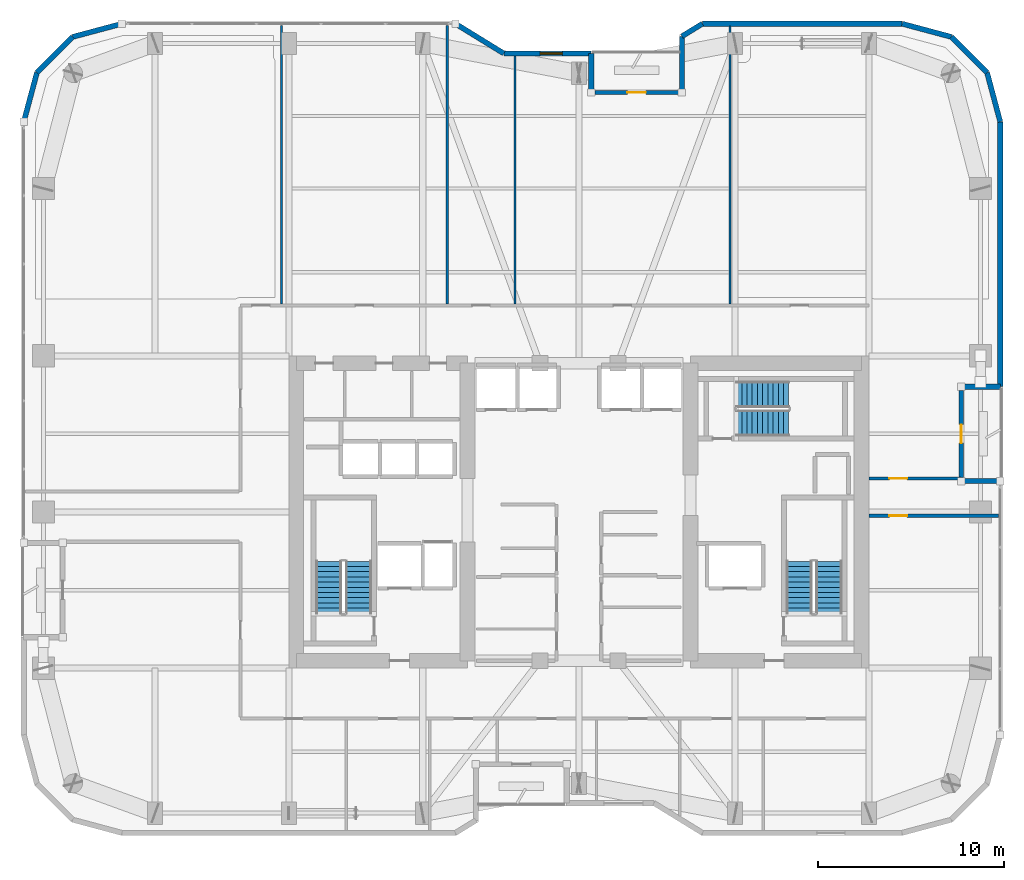
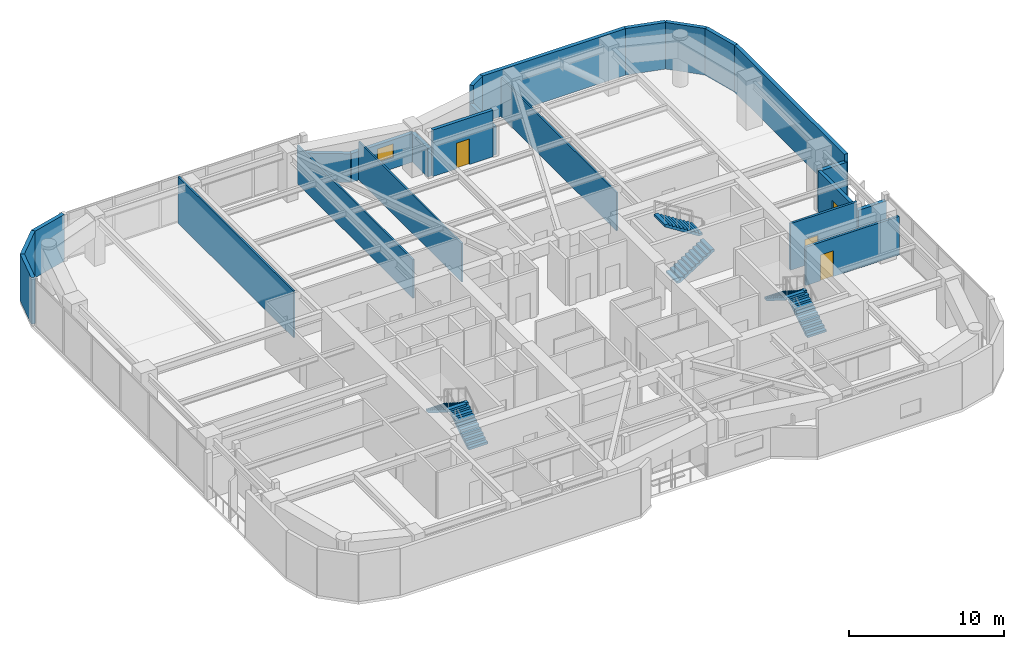
# One storey, part 27 of 30: 23 walls, 6 stair flights, 4 doors, 1 window, 5 openings, 3 elements without a shape of their own.
"""IFC4 building model written with IfcOpenShell, lengths in metres."""

from ifc_helpers import new_model, si_unit, direction, frame, frame_2d, origin, place, context, subcontext, project, spatial, polyline, rectangle, outline, extrude, material, layer, layer_set, type_object, element, fill, aggregate, save


model = new_model("IFC4")

# Units and contexts
model_context = context("Model", 3, precision=1e-05, world=origin(), true_north=direction((0.0, 1.0)))
body_context = subcontext(model_context, "Body", "Model", "MODEL_VIEW")
ifc_project = project(units=[si_unit("LENGTHUNIT", "METRE"), si_unit("AREAUNIT", "SQUARE_METRE"), si_unit("VOLUMEUNIT", "CUBIC_METRE"), si_unit("PLANEANGLEUNIT", "RADIAN"), si_unit("MASSUNIT", "GRAM", prefix="KILO")], contexts=[model_context])

# Site, building, storey
site_placement = place(None, origin())
site = spatial("IfcSite", under=ifc_project, at=site_placement, CompositionType="ELEMENT")
building_placement = place(site_placement, origin())
building = spatial("IfcBuilding", under=site, at=building_placement, Name="Kiyonajd Concourse Tower", CompositionType="ELEMENT")
storey_placement = place(building_placement, frame((0.0, 0.0, 166.199951171875)))
storey = spatial("IfcBuildingStorey", under=building, at=storey_placement, Name="L42", CompositionType="ELEMENT", Elevation=166.199951171875)

# Walls
ifc_material_1 = material(Name="Precast concrete C50/60", Category="concrete")
ifc_layer_1 = layer(ifc_material_1, 0.280029296875)
ifc_layer_set_1 = layer_set([ifc_layer_1], Name="Precast concrete C50/60")
wall_type_1 = type_object("IfcWallType", Name="WL-EXT-280", PredefinedType="SOLIDWALL", material=ifc_layer_set_1)
wall_1_placement = place(storey_placement, frame((18.139892578125, 56.981689453125, 0.0), z_axis=(0.0, 0.0, 1.0), x_axis=(0.258672222976, 0.9659651552, 0.0)))
element("IfcWall", 1, at=wall_1_placement, inside=storey, type_object=wall_type_1, Name="L42 Exterior Concrete Frame Wall 06", PredefinedType="SOLIDWALL", context=body_context, shape_type="SweptSolid", body=[
    extrude(rectangle(XDim=2.739013671875, YDim=0.280029296875, at=frame_2d((1.36962890625, 0.0))), origin(), (0.0, 0.0, 1.0), 3.679931640625),
])
wall_2_placement = place(storey_placement, frame((18.848388671875, 59.62744140625, 0.0), z_axis=(0.0, 0.0, 1.0), x_axis=(0.707106781187, 0.707106781187, 0.0)))
element("IfcWall", 2, at=wall_2_placement, inside=storey, type_object=wall_type_1, Name="L42 Exterior Concrete Frame Wall 07", PredefinedType="SOLIDWALL", context=body_context, shape_type="SweptSolid", body=[
    extrude(rectangle(XDim=2.720947265625, YDim=0.280029296875, at=frame_2d((1.3603515625, 0.0))), origin(), (0.0, 0.0, 1.0), 3.679931640625),
])
wall_3_placement = place(storey_placement, frame((20.7724609375, 61.551513671875, 0.0), z_axis=(0.0, 0.0, 1.0), x_axis=(0.965971118627, 0.258649952598, 0.0)))
element("IfcWall", 3, at=wall_3_placement, inside=storey, type_object=wall_type_1, Name="L42 Exterior Concrete Frame Wall 08", PredefinedType="SOLIDWALL", context=body_context, shape_type="SweptSolid", body=[
    extrude(rectangle(XDim=2.7392578125, YDim=0.280029296875, at=frame_2d((1.36962890625, 0.0))), origin(), (0.0, 0.0, 1.0), 3.679931640625),
])
wall_4_placement = place(storey_placement, frame((41.3603515625, 62.260009765625, 0.0), z_axis=(0.0, 0.0, 1.0), x_axis=(0.851652825334, -0.524106349037, 0.0)))
element("IfcWall", 4, at=wall_4_placement, inside=storey, type_object=wall_type_1, Name="L42 Exterior Concrete Frame Wall 10", PredefinedType="SOLIDWALL", context=body_context, shape_type="SweptSolid", body=[
    extrude(rectangle(XDim=3.052978515625, YDim=0.280029296875, at=frame_2d((1.5263671875, 0.0))), origin(), (0.0, 0.0, 1.0), 2.26513671875),
])

# Wall, opening, window
wall_5_placement = place(storey_placement, frame((43.96044921875, 60.659912109375, 0.0), z_axis=(0.0, 0.0, 1.0), x_axis=(1.0, 0.0, 0.0)))
wall_5 = element("IfcWall", 5, at=wall_5_placement, inside=storey, type_object=wall_type_1, Name="L42 Exterior Concrete Frame Wall 11", PredefinedType="SOLIDWALL", context=body_context, shape_type="SweptSolid", body=[
    extrude(rectangle(XDim=4.699462890625, YDim=0.280029296875, at=frame_2d((2.349609375, 0.0))), origin(), (0.0, 0.0, 1.0), 2.26513671875),
])
opening_1_placement = place(wall_5_placement, frame((1.955078125, 0.0, 0.85009765625)))
opening_1 = element("IfcOpeningElement", 6, at=opening_1_placement, cuts=wall_5, Name="Opening WN3", PredefinedType="OPENING", context=body_context, shape_type="SweptSolid", body=[
    extrude(rectangle(XDim=1.199951171875, YDim=1.10009765625, at=frame_2d((0.60009765625, 0.550048828125))), frame((0.0, 0.14990234375, 0.0), z_axis=(0.0, -1.0, 0.0), x_axis=(1.0, 0.0, 0.0)), (0.0, 0.0, 1.0), 0.300048828125),
])
ifc_material_2 = material(Name="Double Low-E Insulated Glass", Category="glass")
window_type = type_object("IfcWindowType", Name="WN-VIS-1200x1100", PartitioningType="SINGLE_PANEL", PredefinedType="WINDOW", material=ifc_material_2)
window_placement = place(opening_1_placement, origin())
window = element("IfcWindow", 7, at=window_placement, inside=storey, type_object=window_type, Name="L42 Modular Facade Vision Window 11", OverallHeight=1.10009765625, OverallWidth=1.199951171875, PartitioningType="SINGLE_PANEL", PredefinedType="WINDOW", context=body_context, shape_type="SweptSolid", body=[
    extrude(rectangle(XDim=1.199951171875, YDim=1.10009765625, at=frame_2d((0.60009765625, 0.550048828125))), frame((0.0, 0.030029296875, 0.0), z_axis=(0.0, -1.0, 0.0), x_axis=(1.0, 0.0, 0.0)), (0.0, 0.0, 1.0), 0.06005859375),
])
fill(opening_1, window)

# Walls
wall_6_placement = place(storey_placement, frame((48.659912109375, 60.659912109375, 0.0), z_axis=(0.0, 0.0, 1.0), x_axis=(0.0, -1.0, 0.0)))
element("IfcWall", 8, at=wall_6_placement, inside=storey, type_object=wall_type_1, Name="L42 Exterior Concrete Frame Wall 12", PredefinedType="SOLIDWALL", context=body_context, shape_type="SweptSolid", body=[
    extrude(rectangle(XDim=2.099853515625, YDim=0.280029296875, at=frame_2d((1.0498046875, 0.0))), origin(), (0.0, 0.0, 1.0), 2.26513671875),
])
wall_7_placement = place(storey_placement, frame((53.5400390625, 58.56005859375, 0.0), z_axis=(0.0, 0.0, 1.0), x_axis=(0.0, 1.0, 0.0)))
element("IfcWall", 9, at=wall_7_placement, inside=storey, type_object=wall_type_1, Name="L42 Exterior Concrete Frame Wall 14", PredefinedType="SOLIDWALL", context=body_context, shape_type="SweptSolid", body=[
    extrude(rectangle(XDim=3.023681640625, YDim=0.280029296875, at=frame_2d((1.51171875, 0.0))), origin(), (0.0, 0.0, 1.0), 2.26513671875),
])
wall_8_placement = place(storey_placement, frame((53.5400390625, 61.583740234375, 0.0), z_axis=(0.0, 0.0, 1.0), x_axis=(0.851801140441, 0.523865266212, 0.0)))
element("IfcWall", 10, at=wall_8_placement, inside=storey, type_object=wall_type_1, Name="L42 Exterior Concrete Frame Wall 15", PredefinedType="SOLIDWALL", context=body_context, shape_type="SweptSolid", body=[
    extrude(rectangle(XDim=1.291015625, YDim=0.280029296875, at=frame_2d((0.6455078125, 0.0))), origin(), (0.0, 0.0, 1.0), 3.679931640625),
])
wall_9_placement = place(storey_placement, frame((54.6396484375, 62.260009765625, 0.0), z_axis=(0.0, 0.0, 1.0), x_axis=(1.0, 0.0, 0.0)))
element("IfcWall", 11, at=wall_9_placement, inside=storey, type_object=wall_type_1, Name="L42 Exterior Concrete Frame Wall 16", PredefinedType="SOLIDWALL", context=body_context, shape_type="SweptSolid", body=[
    extrude(rectangle(XDim=10.741943359375, YDim=0.280029296875, at=frame_2d((5.37109375, 0.0))), origin(), (0.0, 0.0, 1.0), 3.679931640625),
])
wall_10_placement = place(storey_placement, frame((65.381591796875, 62.260009765625, 0.0), z_axis=(0.0, 0.0, 1.0), x_axis=(0.965971118627, -0.258649952598, 0.0)))
element("IfcWall", 12, at=wall_10_placement, inside=storey, type_object=wall_type_1, Name="L42 Exterior Concrete Frame Wall 17", PredefinedType="SOLIDWALL", context=body_context, shape_type="SweptSolid", body=[
    extrude(rectangle(XDim=2.7392578125, YDim=0.280029296875, at=frame_2d((1.36962890625, 0.0))), origin(), (0.0, 0.0, 1.0), 3.679931640625),
])
wall_11_placement = place(storey_placement, frame((68.027587890625, 61.551513671875, 0.0), z_axis=(0.0, 0.0, 1.0), x_axis=(0.707061915429, -0.707151644098, 0.0)))
element("IfcWall", 13, at=wall_11_placement, inside=storey, type_object=wall_type_1, Name="L42 Exterior Concrete Frame Wall 18", PredefinedType="SOLIDWALL", context=body_context, shape_type="SweptSolid", body=[
    extrude(rectangle(XDim=2.720947265625, YDim=0.280029296875, at=frame_2d((1.3603515625, 0.0))), origin(), (0.0, 0.0, 1.0), 3.679931640625),
])
wall_12_placement = place(storey_placement, frame((69.951416015625, 59.62744140625, 0.0), z_axis=(0.0, 0.0, 1.0), x_axis=(0.258672222976, -0.9659651552, 0.0)))
element("IfcWall", 14, at=wall_12_placement, inside=storey, type_object=wall_type_1, Name="L42 Exterior Concrete Frame Wall 19", PredefinedType="SOLIDWALL", context=body_context, shape_type="SweptSolid", body=[
    extrude(rectangle(XDim=2.739013671875, YDim=0.280029296875, at=frame_2d((1.36962890625, 0.0))), origin(), (0.0, 0.0, 1.0), 3.679931640625),
])
wall_13_placement = place(storey_placement, frame((70.659912109375, 56.981689453125, 0.0), z_axis=(0.0, 0.0, 1.0), x_axis=(0.0, -1.0, 0.0)))
element("IfcWall", 15, at=wall_13_placement, inside=storey, type_object=wall_type_1, Name="L42 Exterior Concrete Frame Wall 20", PredefinedType="SOLIDWALL", context=body_context, shape_type="SweptSolid", body=[
    extrude(rectangle(XDim=14.24169921875, YDim=0.280029296875, at=frame_2d((7.120849609375, 0.0))), origin(), (0.0, 0.0, 1.0), 3.679931640625),
])
for number, where, z_axis, x_axis, name in (
    (16, (70.659912109375, 42.739990234375, 0.0), (0.0, 0.0, 1.0), (-1.0, 0.0, 0.0), "L42 Exterior Concrete Frame Wall 21"),
    (17, (68.56005859375, 37.659912109375, 0.0), (0.0, 0.0, 1.0), (1.0, 0.0, 0.0), "L42 Exterior Concrete Frame Wall 23"),
):
    element("IfcWall", number, at=place(storey_placement, frame(where, z_axis=z_axis, x_axis=x_axis)), inside=storey, type_object=wall_type_1, Name=name, PredefinedType="SOLIDWALL", context=body_context, shape_type="SweptSolid", body=[
        extrude(rectangle(XDim=2.099853515625, YDim=0.280029296875, at=frame_2d((1.0498046875, 0.0))), origin(), (0.0, 0.0, 1.0), 3.115966796875),
    ])

# Wall, opening, door
ifc_layer_2 = layer(ifc_material_1, 0.239990234375)
ifc_layer_set_2 = layer_set([ifc_layer_2], Name="Precast concrete C50/60")
wall_type_2 = type_object("IfcWallType", Name="WL-LOG-240", PredefinedType="SOLIDWALL", material=ifc_layer_set_2)
wall_14_placement = place(storey_placement, frame((48.85498046875, 58.56005859375, 0.0), z_axis=(0.0, 0.0, 1.0), x_axis=(1.0, 0.0, 0.0)))
wall_14 = element("IfcWall", 18, at=wall_14_placement, inside=storey, type_object=wall_type_2, Name="L42 Recessed Loggia Thermal Wall LOG-N", PredefinedType="SOLIDWALL", context=body_context, shape_type="SweptSolid", body=[
    extrude(rectangle(XDim=4.489990234375, YDim=0.239990234375, at=frame_2d((2.2451171875, 0.0))), origin(), (0.0, 0.0, 1.0), 3.679931640625),
])
opening_2_placement = place(wall_14_placement, frame((1.7451171875, 0.0, 0.0)))
opening_2 = element("IfcOpeningElement", 19, at=opening_2_placement, cuts=wall_14, Name="Opening DL1", PredefinedType="OPENING", context=body_context, shape_type="SweptSolid", body=[
    extrude(rectangle(XDim=1.0, YDim=2.02001953125, at=frame_2d((0.5, 1.010009765625))), frame((0.0, 0.1298828125, 0.0), z_axis=(0.0, -1.0, 0.0), x_axis=(1.0, 0.0, 0.0)), (0.0, 0.0, 1.0), 0.260009765625),
])
ifc_material_3 = material(Name="Thermally Broken Anodised Aluminium", Category="aluminium")
door_type_1 = type_object("IfcDoorType", Name="DR-LOG-1000", OperationType="NOTDEFINED", PredefinedType="DOOR", material=ifc_material_3)
door_1_placement = place(opening_2_placement, origin())
door_1 = element("IfcDoor", 20, at=door_1_placement, inside=storey, type_object=door_type_1, Name="L42 Engawa Loggia Access Door LOG-N", OperationType="SINGLE_SWING_RIGHT", OverallHeight=2.02001953125, OverallWidth=1.0, PredefinedType="DOOR", context=body_context, shape_type="SweptSolid", body=[
    extrude(rectangle(XDim=1.0, YDim=2.02001953125, at=frame_2d((0.5, 1.010009765625))), frame((0.0, 0.02490234375, 0.0), z_axis=(0.0, -1.0, 0.0), x_axis=(1.0, 0.0, 0.0)), (0.0, 0.0, 1.0), 0.050048828125),
])
fill(opening_2, door_1)

wall_15_placement = place(storey_placement, frame((68.56005859375, 42.544921875, 0.0), z_axis=(0.0, 0.0, 1.0), x_axis=(0.0, -1.0, 0.0)))
wall_15 = element("IfcWall", 21, at=wall_15_placement, inside=storey, type_object=wall_type_2, Name="L42 Recessed Loggia Thermal Wall LOG-E", PredefinedType="SOLIDWALL", context=body_context, shape_type="SweptSolid", body=[
    extrude(rectangle(XDim=4.68994140625, YDim=0.239990234375, at=frame_2d((2.344970703125, 0.0))), origin(), (0.0, 0.0, 1.0), 3.248046875),
])
opening_3_placement = place(wall_15_placement, frame((1.844970703125, 0.0, 0.0)))
opening_3 = element("IfcOpeningElement", 22, at=opening_3_placement, cuts=wall_15, Name="Opening DL1", PredefinedType="OPENING", context=body_context, shape_type="SweptSolid", body=[
    extrude(rectangle(XDim=1.0, YDim=2.02001953125, at=frame_2d((0.5, 1.010009765625))), frame((0.0, 0.1298828125, 0.0), z_axis=(0.0, -1.0, 0.0), x_axis=(1.0, 0.0, 0.0)), (0.0, 0.0, 1.0), 0.260009765625),
])
door_2_placement = place(opening_3_placement, origin())
door_2 = element("IfcDoor", 23, at=door_2_placement, inside=storey, type_object=door_type_1, Name="L42 Engawa Loggia Access Door LOG-E", OperationType="SINGLE_SWING_LEFT", OverallHeight=2.02001953125, OverallWidth=1.0, PredefinedType="DOOR", context=body_context, shape_type="SweptSolid", body=[
    extrude(rectangle(XDim=1.0, YDim=2.02001953125, at=frame_2d((0.5, 1.010009765625))), frame((0.0, 0.02490234375, 0.0), z_axis=(0.0, -1.0, 0.0), x_axis=(1.0, 0.0, 0.0)), (0.0, 0.0, 1.0), 0.050048828125),
])
fill(opening_3, door_2)

# Walls
ifc_material_4 = material(Name="Gypsum Board on Cold-Formed Steel Stud", Category="steel")
ifc_layer_3 = layer(ifc_material_4, 0.125)
ifc_layer_set_3 = layer_set([ifc_layer_3], Name="Gypsum Board on Cold-Formed Steel Stud")
wall_type_3 = type_object("IfcWallType", Name="WL-PART-125", PredefinedType="PARTITIONING", material=ifc_layer_set_3)
wall_16_placement = place(storey_placement, frame((32.0, 47.197021484375, 0.0), z_axis=(0.0, 0.0, 1.0), x_axis=(0.0, 1.0, 0.0)))
element("IfcWall", 24, at=wall_16_placement, inside=storey, type_object=wall_type_3, Name="L42 Interior Partition Wall", PredefinedType="PARTITIONING", context=body_context, shape_type="SweptSolid", body=[
    extrude(rectangle(XDim=14.968017578125, YDim=0.125, at=frame_2d((7.48388671875, 0.0))), origin(), (0.0, 0.0, 1.0), 3.679931640625),
])
wall_17_placement = place(storey_placement, frame((40.919921875, 47.197021484375, 0.0), z_axis=(0.0, 0.0, 1.0), x_axis=(0.0, 1.0, 0.0)))
element("IfcWall", 25, at=wall_17_placement, inside=storey, type_object=wall_type_3, Name="L42 Interior Partition Wall", PredefinedType="PARTITIONING", context=body_context, shape_type="SweptSolid", body=[
    extrude(rectangle(XDim=14.968017578125, YDim=0.125, at=frame_2d((7.48388671875, 0.0))), origin(), (0.0, 0.0, 1.0), 3.04296875),
])
wall_18_placement = place(storey_placement, frame((44.56005859375, 47.197021484375, 0.0), z_axis=(0.0, 0.0, 1.0), x_axis=(0.0, 1.0, 0.0)))
element("IfcWall", 26, at=wall_18_placement, inside=storey, type_object=wall_type_3, Name="L42 Interior Partition Wall", PredefinedType="PARTITIONING", context=body_context, shape_type="SweptSolid", body=[
    extrude(rectangle(XDim=13.327880859375, YDim=0.125, at=frame_2d((6.6640625, 0.0))), origin(), (0.0, 0.0, 1.0), 3.04296875),
])
wall_19_placement = place(storey_placement, frame((56.1201171875, 47.197021484375, 0.0), z_axis=(0.0, 0.0, 1.0), x_axis=(0.0, 1.0, 0.0)))
element("IfcWall", 27, at=wall_19_placement, inside=storey, type_object=wall_type_3, Name="L42 Interior Partition Wall", PredefinedType="PARTITIONING", context=body_context, shape_type="SweptSolid", body=[
    extrude(rectangle(XDim=14.927978515625, YDim=0.125, at=frame_2d((7.4638671875, 0.0))), origin(), (0.0, 0.0, 1.0), 3.04296875),
])

# Wall, opening, door
ifc_layer_4 = layer(ifc_material_4, 0.169921875)
ifc_layer_set_4 = layer_set([ifc_layer_4], Name="Gypsum Board on Cold-Formed Steel Stud")
wall_type_4 = type_object("IfcWallType", Name="WL-SMK-170", PredefinedType="PARTITIONING", material=ifc_layer_set_4)
wall_20_placement = place(storey_placement, frame((63.60009765625, 35.800048828125, 0.0), z_axis=(0.0, 0.0, 1.0), x_axis=(1.0, 0.0, 0.0)))
wall_20 = element("IfcWall", 28, at=wall_20_placement, inside=storey, type_object=wall_type_4, Name="L42 Interior Partition Wall", PredefinedType="PARTITIONING", context=body_context, shape_type="SweptSolid", body=[
    extrude(rectangle(XDim=6.974853515625, YDim=0.169921875, at=frame_2d((3.4873046875, 0.0))), origin(), (0.0, 0.0, 1.0), 3.04296875),
])
opening_4_placement = place(wall_20_placement, frame((1.10009765625, 0.0, 0.0)))
opening_4 = element("IfcOpeningElement", 29, at=opening_4_placement, cuts=wall_20, Name="Opening DI1", PredefinedType="OPENING", context=body_context, shape_type="SweptSolid", body=[
    extrude(rectangle(XDim=0.949951171875, YDim=2.0400390625, at=frame_2d((0.47509765625, 1.02001953125))), frame((0.0, 0.094970703125, 0.0), z_axis=(0.0, -1.0, 0.0), x_axis=(1.0, 0.0, 0.0)), (0.0, 0.0, 1.0), 0.18994140625),
])
ifc_material_5 = material(Name="Natural Oak Acoustic Timber Veneer", Category="wood")
door_type_2 = type_object("IfcDoorType", Name="DR-INT-950", OperationType="NOTDEFINED", PredefinedType="DOOR", material=ifc_material_5)
door_3_placement = place(opening_4_placement, origin())
door_3 = element("IfcDoor", 30, at=door_3_placement, inside=storey, type_object=door_type_2, Name="L42 Interior Door", OperationType="SINGLE_SWING_LEFT", OverallHeight=2.0400390625, OverallWidth=0.949951171875, PredefinedType="DOOR", context=body_context, shape_type="SweptSolid", body=[
    extrude(rectangle(XDim=0.949951171875, YDim=2.0400390625, at=frame_2d((0.47509765625, 1.02001953125))), frame((0.0, 0.02490234375, 0.0), z_axis=(0.0, -1.0, 0.0), x_axis=(1.0, 0.0, 0.0)), (0.0, 0.0, 1.0), 0.050048828125),
])
fill(opening_4, door_3)

wall_21_placement = place(storey_placement, frame((63.60009765625, 37.800048828125, 0.0), z_axis=(0.0, 0.0, 1.0), x_axis=(1.0, 0.0, 0.0)))
wall_21 = element("IfcWall", 31, at=wall_21_placement, inside=storey, type_object=wall_type_4, Name="L42 Interior Partition Wall", PredefinedType="PARTITIONING", context=body_context, shape_type="SweptSolid", body=[
    extrude(rectangle(XDim=4.9599609375, YDim=0.169921875, at=frame_2d((2.47998046875, 0.0))), origin(), (0.0, 0.0, 1.0), 3.679931640625),
])
opening_5_placement = place(wall_21_placement, frame((1.10009765625, 0.0, 0.0)))
opening_5 = element("IfcOpeningElement", 32, at=opening_5_placement, cuts=wall_21, Name="Opening DI1", PredefinedType="OPENING", context=body_context, shape_type="SweptSolid", body=[
    extrude(rectangle(XDim=0.949951171875, YDim=2.0400390625, at=frame_2d((0.47509765625, 1.02001953125))), frame((0.0, 0.094970703125, 0.0), z_axis=(0.0, -1.0, 0.0), x_axis=(1.0, 0.0, 0.0)), (0.0, 0.0, 1.0), 0.18994140625),
])
door_4_placement = place(opening_5_placement, origin())
door_4 = element("IfcDoor", 33, at=door_4_placement, inside=storey, type_object=door_type_2, Name="L42 Interior Door", OperationType="SINGLE_SWING_RIGHT", OverallHeight=2.0400390625, OverallWidth=0.949951171875, PredefinedType="DOOR", context=body_context, shape_type="SweptSolid", body=[
    extrude(rectangle(XDim=0.949951171875, YDim=2.0400390625, at=frame_2d((0.47509765625, 1.02001953125))), frame((0.0, 0.02490234375, 0.0), z_axis=(0.0, -1.0, 0.0), x_axis=(1.0, 0.0, 0.0)), (0.0, 0.0, 1.0), 0.050048828125),
])
fill(opening_5, door_4)

# Stair, stair flights
ifc_material_6 = material(Name="Concrete C40/50", Category="concrete")
stair_type = type_object("IfcStairType", Name="ST-DLG-22R", PredefinedType="HALF_TURN_STAIR", material=ifc_material_6)
stair_1_placement = place(storey_placement, origin())
stair_1 = element("IfcStair", 34, at=stair_1_placement, inside=storey, type_object=stair_type, Name="L42 Protected Exit Stair ST1", PredefinedType="HALF_TURN_STAIR")
stair_flight_type = type_object("IfcStairFlightType", Name="SF-STR-22R", PredefinedType="STRAIGHT", material=ifc_material_6)
stair_flight_1_placement = place(storey_placement, frame((36.14990234375, 30.550048828125, 0.0), z_axis=(0.0, 0.0, 1.0), x_axis=(0.0, 1.0, 0.0)))
stair_flight_1 = element("IfcStairFlight", 35, at=stair_flight_1_placement, type_object=stair_flight_type, Name="ST1 flight 1", NumberOfRisers=11, NumberOfTreads=10, PredefinedType="STRAIGHT", RiserHeight=0.177272727, TreadLength=0.28, context=body_context, shape_type="SweptSolid", body=[
    extrude(outline(polyline([(0.0, 0.0), (0.0, 0.17724609375), (0.280029296875, 0.17724609375), (0.280029296875, 0.3544921875), (0.56005859375, 0.3544921875), (0.56005859375, 0.53173828125), (0.840087890625, 0.53173828125), (0.840087890625, 0.708984375), (1.1201171875, 0.708984375), (1.1201171875, 0.886474609375), (1.39990234375, 0.886474609375), (1.39990234375, 1.063720703125), (1.679931640625, 1.063720703125), (1.679931640625, 1.240966796875), (1.9599609375, 1.240966796875), (1.9599609375, 1.418212890625), (2.239990234375, 1.418212890625), (2.239990234375, 1.595458984375), (2.52001953125, 1.595458984375), (2.52001953125, 1.772705078125), (2.800048828125, 1.772705078125), (2.800048828125, 1.949951171875), (2.800048828125, 1.59521484375), (0.2802734375, 0.0), (0.0, 0.0)])), frame((0.0, 0.699951171875, 0.0), z_axis=(0.0, -1.0, 0.0), x_axis=(1.0, 0.0, 0.0)), (0.0, 0.0, 1.0), 1.39990234375),
])
stair_flight_2_placement = place(storey_placement, frame((34.550048828125, 33.35009765625, 1.949951171875), z_axis=(0.0, 0.0, 1.0), x_axis=(0.0, -1.0, 0.0)))
stair_flight_2 = element("IfcStairFlight", 36, at=stair_flight_2_placement, type_object=stair_flight_type, Name="ST1 flight 2", NumberOfRisers=11, NumberOfTreads=10, PredefinedType="STRAIGHT", RiserHeight=0.177272727, TreadLength=0.28, context=body_context, shape_type="SweptSolid", body=[
    extrude(outline(polyline([(0.0, 0.0), (0.0, 0.17724609375), (0.280029296875, 0.17724609375), (0.280029296875, 0.3544921875), (0.56005859375, 0.3544921875), (0.56005859375, 0.53173828125), (0.840087890625, 0.53173828125), (0.840087890625, 0.708984375), (1.1201171875, 0.708984375), (1.1201171875, 0.886474609375), (1.39990234375, 0.886474609375), (1.39990234375, 1.063720703125), (1.679931640625, 1.063720703125), (1.679931640625, 1.240966796875), (1.9599609375, 1.240966796875), (1.9599609375, 1.418212890625), (2.239990234375, 1.418212890625), (2.239990234375, 1.595458984375), (2.52001953125, 1.595458984375), (2.52001953125, 1.772705078125), (2.800048828125, 1.772705078125), (2.800048828125, 1.949951171875), (2.800048828125, 1.59521484375), (0.2802734375, 0.0), (0.0, 0.0)])), frame((0.0, 0.699951171875, 0.0), z_axis=(0.0, -1.0, 0.0), x_axis=(1.0, 0.0, 0.0)), (0.0, 0.0, 1.0), 1.39990234375),
])
aggregate(stair_1, [stair_flight_1, stair_flight_2])

stair_2_placement = place(storey_placement, origin())
stair_2 = element("IfcStair", 37, at=stair_2_placement, inside=storey, type_object=stair_type, Name="L42 Protected Exit Stair ST2", PredefinedType="HALF_TURN_STAIR")
stair_flight_3_placement = place(storey_placement, frame((61.449951171875, 30.550048828125, 0.0), z_axis=(0.0, 0.0, 1.0), x_axis=(0.0, 1.0, 0.0)))
stair_flight_3 = element("IfcStairFlight", 38, at=stair_flight_3_placement, type_object=stair_flight_type, Name="ST2 flight 1", NumberOfRisers=11, NumberOfTreads=10, PredefinedType="STRAIGHT", RiserHeight=0.177272727, TreadLength=0.28, context=body_context, shape_type="SweptSolid", body=[
    extrude(outline(polyline([(0.0, 0.0), (0.0, 0.17724609375), (0.280029296875, 0.17724609375), (0.280029296875, 0.3544921875), (0.56005859375, 0.3544921875), (0.56005859375, 0.53173828125), (0.840087890625, 0.53173828125), (0.840087890625, 0.708984375), (1.1201171875, 0.708984375), (1.1201171875, 0.886474609375), (1.39990234375, 0.886474609375), (1.39990234375, 1.063720703125), (1.679931640625, 1.063720703125), (1.679931640625, 1.240966796875), (1.9599609375, 1.240966796875), (1.9599609375, 1.418212890625), (2.239990234375, 1.418212890625), (2.239990234375, 1.595458984375), (2.52001953125, 1.595458984375), (2.52001953125, 1.772705078125), (2.800048828125, 1.772705078125), (2.800048828125, 1.949951171875), (2.800048828125, 1.59521484375), (0.2802734375, 0.0), (0.0, 0.0)])), frame((0.0, 0.699951171875, 0.0), z_axis=(0.0, -1.0, 0.0), x_axis=(1.0, 0.0, 0.0)), (0.0, 0.0, 1.0), 1.39990234375),
])
stair_flight_4_placement = place(storey_placement, frame((59.85009765625, 33.35009765625, 1.949951171875), z_axis=(0.0, 0.0, 1.0), x_axis=(0.0, -1.0, 0.0)))
stair_flight_4 = element("IfcStairFlight", 39, at=stair_flight_4_placement, type_object=stair_flight_type, Name="ST2 flight 2", NumberOfRisers=11, NumberOfTreads=10, PredefinedType="STRAIGHT", RiserHeight=0.177272727, TreadLength=0.28, context=body_context, shape_type="SweptSolid", body=[
    extrude(outline(polyline([(0.0, 0.0), (0.0, 0.17724609375), (0.280029296875, 0.17724609375), (0.280029296875, 0.3544921875), (0.56005859375, 0.3544921875), (0.56005859375, 0.53173828125), (0.840087890625, 0.53173828125), (0.840087890625, 0.708984375), (1.1201171875, 0.708984375), (1.1201171875, 0.886474609375), (1.39990234375, 0.886474609375), (1.39990234375, 1.063720703125), (1.679931640625, 1.063720703125), (1.679931640625, 1.240966796875), (1.9599609375, 1.240966796875), (1.9599609375, 1.418212890625), (2.239990234375, 1.418212890625), (2.239990234375, 1.595458984375), (2.52001953125, 1.595458984375), (2.52001953125, 1.772705078125), (2.800048828125, 1.772705078125), (2.800048828125, 1.949951171875), (2.800048828125, 1.59521484375), (0.2802734375, 0.0), (0.0, 0.0)])), frame((0.0, 0.699951171875, 0.0), z_axis=(0.0, -1.0, 0.0), x_axis=(1.0, 0.0, 0.0)), (0.0, 0.0, 1.0), 1.39990234375),
])
aggregate(stair_2, [stair_flight_3, stair_flight_4])

stair_3_placement = place(storey_placement, origin())
stair_3 = element("IfcStair", 40, at=stair_3_placement, inside=storey, type_object=stair_type, Name="L42 Protected Exit Stair ST3", PredefinedType="HALF_TURN_STAIR")
stair_flight_5_placement = place(storey_placement, frame((56.47998046875, 40.780029296875, 0.0), z_axis=(0.0, 0.0, 1.0), x_axis=(1.0, 0.0, 0.0)))
stair_flight_5 = element("IfcStairFlight", 41, at=stair_flight_5_placement, type_object=stair_flight_type, Name="ST3 flight 1", NumberOfRisers=11, NumberOfTreads=10, PredefinedType="STRAIGHT", RiserHeight=0.177272727, TreadLength=0.28, context=body_context, shape_type="SweptSolid", body=[
    extrude(outline(polyline([(0.0, 0.0), (0.0, 0.17724609375), (0.280029296875, 0.17724609375), (0.280029296875, 0.3544921875), (0.56005859375, 0.3544921875), (0.56005859375, 0.53173828125), (0.840087890625, 0.53173828125), (0.840087890625, 0.708984375), (1.1201171875, 0.708984375), (1.1201171875, 0.886474609375), (1.39990234375, 0.886474609375), (1.39990234375, 1.063720703125), (1.679931640625, 1.063720703125), (1.679931640625, 1.240966796875), (1.9599609375, 1.240966796875), (1.9599609375, 1.418212890625), (2.239990234375, 1.418212890625), (2.239990234375, 1.595458984375), (2.52001953125, 1.595458984375), (2.52001953125, 1.772705078125), (2.800048828125, 1.772705078125), (2.800048828125, 1.949951171875), (2.800048828125, 1.59521484375), (0.2802734375, 0.0), (0.0, 0.0)])), frame((0.0, 0.699951171875, 0.0), z_axis=(0.0, -1.0, 0.0), x_axis=(1.0, 0.0, 0.0)), (0.0, 0.0, 1.0), 1.39990234375),
])
stair_flight_6_placement = place(storey_placement, frame((59.280029296875, 42.320068359375, 1.949951171875), z_axis=(0.0, 0.0, 1.0), x_axis=(-1.0, 0.0, 0.0)))
stair_flight_6 = element("IfcStairFlight", 42, at=stair_flight_6_placement, type_object=stair_flight_type, Name="ST3 flight 2", NumberOfRisers=11, NumberOfTreads=10, PredefinedType="STRAIGHT", RiserHeight=0.177272727, TreadLength=0.28, context=body_context, shape_type="SweptSolid", body=[
    extrude(outline(polyline([(0.0, 0.0), (0.0, 0.17724609375), (0.280029296875, 0.17724609375), (0.280029296875, 0.3544921875), (0.56005859375, 0.3544921875), (0.56005859375, 0.53173828125), (0.840087890625, 0.53173828125), (0.840087890625, 0.708984375), (1.1201171875, 0.708984375), (1.1201171875, 0.886474609375), (1.39990234375, 0.886474609375), (1.39990234375, 1.063720703125), (1.679931640625, 1.063720703125), (1.679931640625, 1.240966796875), (1.9599609375, 1.240966796875), (1.9599609375, 1.418212890625), (2.239990234375, 1.418212890625), (2.239990234375, 1.595458984375), (2.52001953125, 1.595458984375), (2.52001953125, 1.772705078125), (2.800048828125, 1.772705078125), (2.800048828125, 1.949951171875), (2.800048828125, 1.59521484375), (0.2802734375, 0.0), (0.0, 0.0)])), frame((0.0, 0.699951171875, 0.0), z_axis=(0.0, -1.0, 0.0), x_axis=(1.0, 0.0, 0.0)), (0.0, 0.0, 1.0), 1.39990234375),
])
aggregate(stair_3, [stair_flight_5, stair_flight_6])

save(model, "model.ifc")
